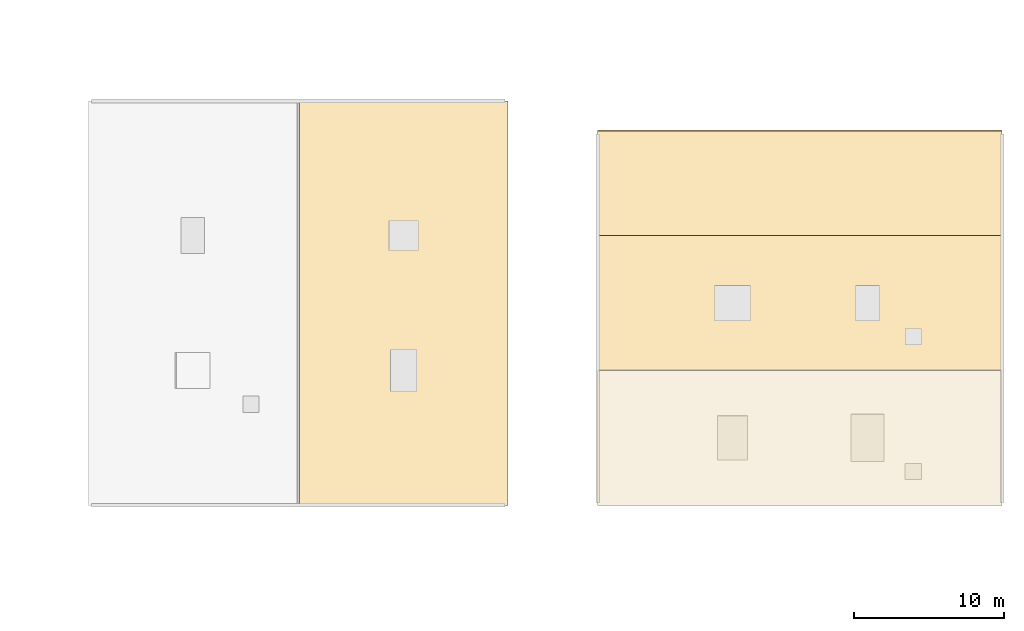
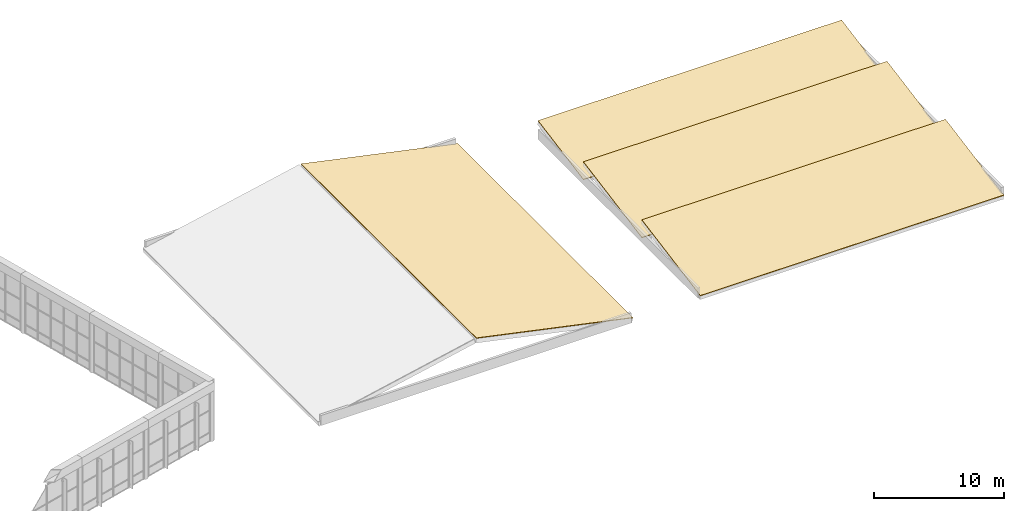
# One storey, part 55 of 55: 4 coverings.
"""IFC4 building model written with IfcOpenShell, lengths in metres."""

from ifc_helpers import new_model, si_unit, direction, frame, origin, place, context, subcontext, project, spatial, polyline, outline, extrude, material, layer, layer_set, type_object, element, save


model = new_model("IFC4")

# Units and contexts
model_context = context("Model", 3, precision=1e-05, world=origin(), true_north=direction((0.0, 1.0)))
body_context = subcontext(model_context, "Body", "Model", "MODEL_VIEW")
ifc_project = project(units=[si_unit("LENGTHUNIT", "METRE"), si_unit("AREAUNIT", "SQUARE_METRE"), si_unit("VOLUMEUNIT", "CUBIC_METRE"), si_unit("PLANEANGLEUNIT", "RADIAN"), si_unit("MASSUNIT", "GRAM", prefix="KILO")], contexts=[model_context])

# Site, building, storey
site_placement = place(None, origin())
site = spatial("IfcSite", under=ifc_project, at=site_placement, CompositionType="ELEMENT")
building_placement = place(site_placement, origin())
building = spatial("IfcBuilding", under=site, at=building_placement, Name="Ventoquebrada Cableway Terminal", CompositionType="ELEMENT")
storey_placement = place(building_placement, frame((0.0, 0.0, 14.39990234375)))
storey = spatial("IfcBuildingStorey", under=building, at=storey_placement, Name="L03", CompositionType="ELEMENT", Elevation=14.39990234375)

# Coverings
ifc_material = material(Name="Standing-seam zinc-titanium roofing")
ifc_layer = layer(ifc_material, 0.06005859375)
ifc_layer_set = layer_set([ifc_layer], Name="Standing-seam zinc-titanium roofing")
covering_type = type_object("IfcCoveringType", Name="COV-RF01", PredefinedType="ROOFING", material=ifc_layer_set)
covering_1_placement = place(storey_placement, frame((109.07763671875, 77.0, 2.98828125), z_axis=(0.207937806095, 0.0, 0.978142049396), x_axis=(0.978142049396, 0.0, -0.207937806095)))
element("IfcCovering", 1, at=covering_1_placement, inside=storey, type_object=covering_type, Name="Standing-seam roof covering SL-111", PredefinedType="ROOFING", context=body_context, shape_type="SweptSolid", body=[
    extrude(outline(polyline([(0.0, 0.0), (14.22074852826017, 0.0), (14.22074852826017, 27.0), (0.0, 27.0), (0.0, 0.0)])), origin(), (0.0, 0.0, 1.0), 0.06005859375),
])
for number, where, z_axis, x_axis, name in (
    (2, (129.0, 77.010986328125, 0.0009765625), (0.0, -0.18222679532, 0.983256525566), (1.0, 0.0, 0.0), "Standing-seam roof covering SL-114"),
    (3, (129.0, 86.010986328125, 0.0009765625), (0.0, -0.18222679532, 0.983256525566), (1.0, 0.0, 0.0), "Standing-seam roof covering SL-115"),
):
    element("IfcCovering", number, at=place(storey_placement, frame(where, z_axis=z_axis, x_axis=x_axis)), inside=storey, type_object=covering_type, Name=name, PredefinedType="ROOFING", context=body_context, shape_type="SweptSolid", body=[
        extrude(outline(polyline([(0.0, 0.0), (27.0, 0.0), (27.0, 9.153257330097114), (0.0, 9.153257330097114), (0.0, 0.0)])), origin(), (0.0, 0.0, 1.0), 0.06005859375),
    ])
covering_2_placement = place(storey_placement, frame((129.0, 95.010986328125, 0.0009765625), z_axis=(0.0, -0.182201008296, 0.983261304321), x_axis=(1.0, 0.0, 0.0)))
element("IfcCovering", 4, at=covering_2_placement, inside=storey, type_object=covering_type, Name="Standing-seam roof covering SL-116", PredefinedType="ROOFING", context=body_context, shape_type="SweptSolid", body=[
    extrude(outline(polyline([(0.0, 0.0), (27.0, 0.0), (27.0, 7.119165545552073), (0.0, 7.119165545552073), (0.0, 0.0)])), origin(), (0.0, 0.0, 1.0), 0.06005859375),
])

save(model, "model.ifc")
